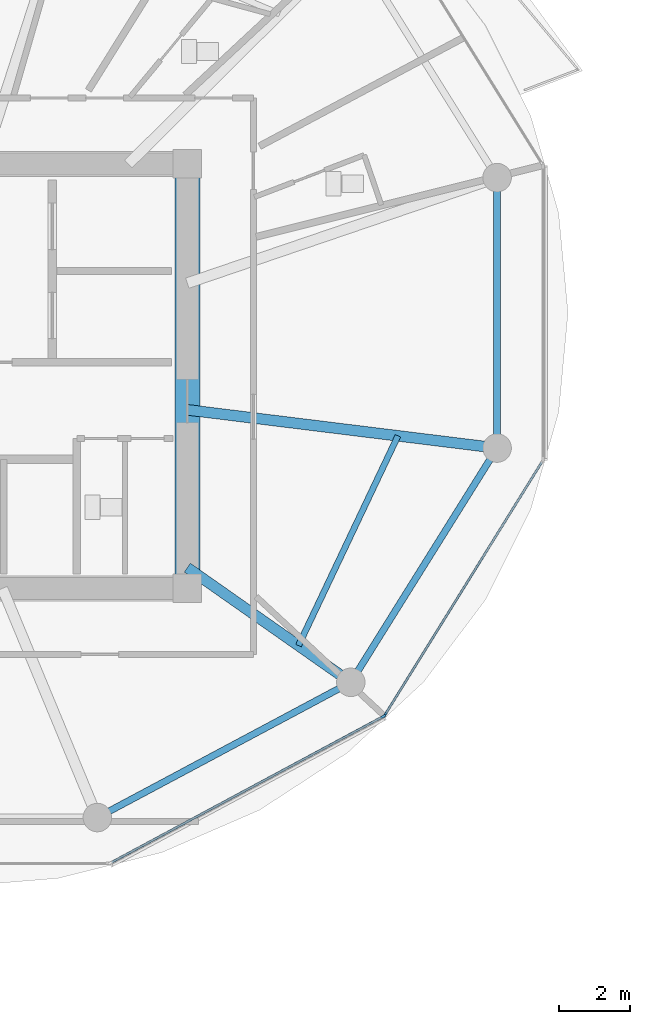
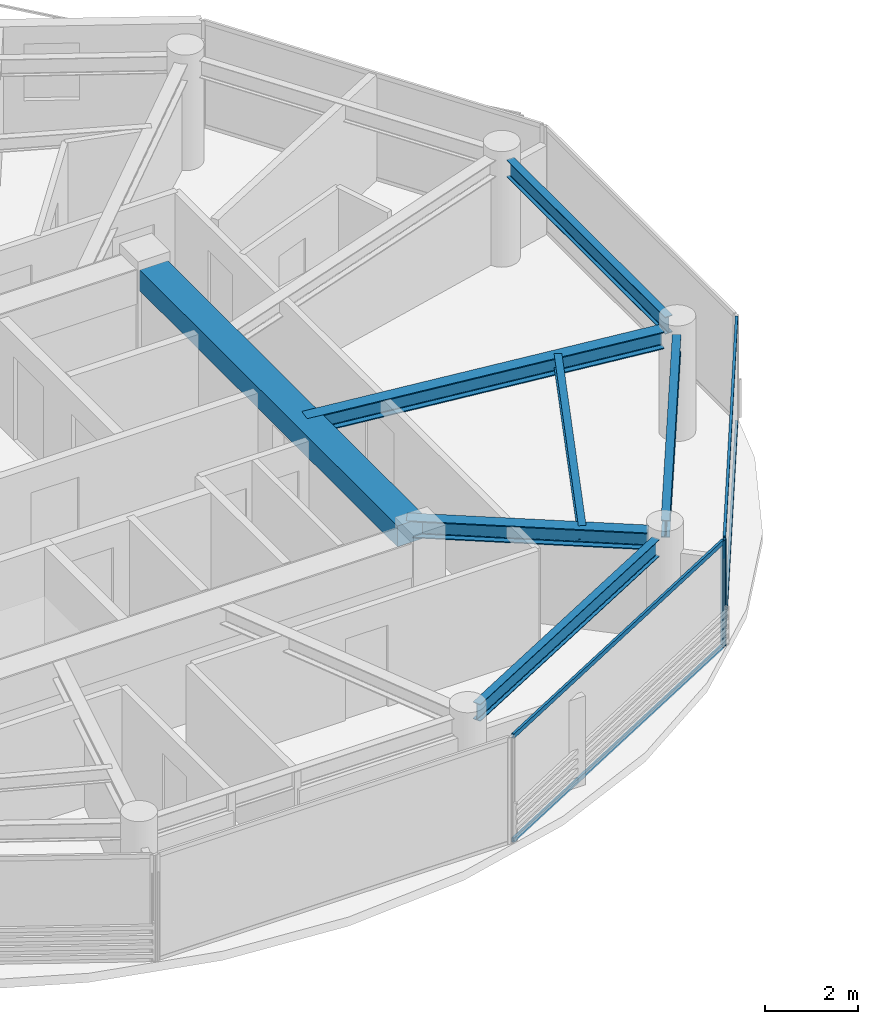
# One storey, part 3 of 21: 7 beams, 6 members, 2 elements without a shape of their own.
"""IFC4 building model written with IfcOpenShell, lengths in metres."""

from ifc_helpers import new_model, si_unit, direction, frame, origin, origin_2d, place, context, subcontext, project, spatial, rectangle, i_section, extrude, source, transform, mapped, material, layer, layer_set, material_profile, profile_set, type_object, type_shapes, element, aggregate, save


model = new_model("IFC4")

# Units and contexts
model_context = context("Model", 3, precision=1e-05, world=origin(), true_north=direction((0.0, 1.0)))
body_context = subcontext(model_context, "Body", "Model", "MODEL_VIEW")
ifc_project = project(units=[si_unit("LENGTHUNIT", "METRE"), si_unit("AREAUNIT", "SQUARE_METRE"), si_unit("VOLUMEUNIT", "CUBIC_METRE"), si_unit("PLANEANGLEUNIT", "RADIAN"), si_unit("MASSUNIT", "GRAM", prefix="KILO")], contexts=[model_context])

# Site, building, storey
site_placement = place(None, origin())
site = spatial("IfcSite", under=ifc_project, at=site_placement, CompositionType="ELEMENT")
building_placement = place(site_placement, origin())
building = spatial("IfcBuilding", under=site, at=building_placement, Name="Norrkilde Senior Care Towers", CompositionType="ELEMENT")
storey_placement = place(building_placement, frame((0.0, 0.0, 146.5)))
storey = spatial("IfcBuildingStorey", under=building, at=storey_placement, Name="L45", CompositionType="ELEMENT", Elevation=146.5)

# Beams
ifc_material_1 = material(Name="Concrete C60/75", Category="concrete")
ifc_material_profile_1 = material_profile(ifc_material_1, rectangle(XDim=0.699951171875, YDim=0.550048828125, at=origin_2d()), Name="RC BM 700x550")
ifc_profile_set_1 = profile_set([ifc_material_profile_1], Name="Concrete C60/75")
beam_type_1 = type_object("IfcBeamType", Name="Core Portal Coupling Beam 700x550", PredefinedType="USERDEFINED", material=ifc_profile_set_1)
shared_shape_1 = source(origin(), body_context, "Body", "SweptSolid", [
    extrude(rectangle(XDim=0.699951171875, YDim=0.550048828125, at=origin_2d()), origin(), (0.0, 0.0, 1.0), 11.14013671875),
])
type_shapes(beam_type_1, [shared_shape_1])
beam_1_placement = place(storey_placement, frame((-20.35009765625, -5.570068359375, 2.534912109375), z_axis=(0.0, 1.0, 0.0), x_axis=(-1.0, 0.0, 0.0)))
element("IfcBeam", 1, at=beam_1_placement, inside=storey, type_object=beam_type_1, Name="L45 Core W E Coupling Girder", ObjectType="GIRDER", PredefinedType="USERDEFINED", context=body_context, shape_type="MappedRepresentation", body=[
    mapped(shared_shape_1, transform((0.0, 0.0, 0.0), x_axis=(1.0, 0.0, 0.0), y_axis=(0.0, 1.0, 0.0), z_axis=(0.0, 0.0, 1.0), scale=1.0)),
])
ifc_material_2 = material(Name="Steel S355", Category="steel")
ifc_material_profile_2 = material_profile(ifc_material_2, i_section(OverallWidth=0.18994140625, OverallDepth=0.449951171875, WebThickness=0.009521484375, FlangeThickness=0.0146484375, FilletRadius=0.02099609375, at=origin_2d()), Name="IPE 450")
ifc_profile_set_2 = profile_set([ifc_material_profile_2], Name="Steel S355")
beam_type_2 = type_object("IfcBeamType", Name="Perimeter Ring Spandrel Z3 IPE450", PredefinedType="SPANDREL", material=ifc_profile_set_2)
shared_shape_2 = source(origin(), body_context, "Body", "SweptSolid", [
    extrude(i_section(OverallWidth=0.18994140625, OverallDepth=0.449951171875, WebThickness=0.009521484375, FlangeThickness=0.0146484375, FilletRadius=0.02099609375, at=origin_2d()), origin(), (0.0, 0.0, 1.0), 6.86328125),
])
beam_2_placement = place(storey_placement, frame((-11.6650390625, -1.65625, 2.5849609375), z_axis=(0.0, 1.0, 0.0), x_axis=(-1.0, 0.0, 0.0)))
element("IfcBeam", 2, at=beam_2_placement, inside=storey, type_object=beam_type_2, Name="L45 Drum W Perimeter Spandrel 12", PredefinedType="SPANDREL", context=body_context, shape_type="MappedRepresentation", body=[
    mapped(shared_shape_2, transform((0.0, 0.0, 0.0), x_axis=(1.0, 0.0, 0.0), y_axis=(0.0, 1.0, 0.0), z_axis=(0.0, 0.0, 1.0), scale=1.0)),
])
shared_shape_3 = source(origin(), body_context, "Body", "SweptSolid", [
    extrude(i_section(OverallWidth=0.18994140625, OverallDepth=0.449951171875, WebThickness=0.009521484375, FlangeThickness=0.0146484375, FilletRadius=0.02099609375, at=origin_2d()), origin(), (0.0, 0.0, 1.0), 7.023193359375),
])
beam_3_placement = place(storey_placement, frame((-15.57666015625, -8.2783203125, 2.5849609375), z_axis=(0.529805197269, 0.848119362441, 0.0), x_axis=(-0.848119362441, 0.529805197269, 0.0)))
element("IfcBeam", 3, at=beam_3_placement, inside=storey, type_object=beam_type_2, Name="L45 Drum W Perimeter Spandrel 11", PredefinedType="SPANDREL", context=body_context, shape_type="MappedRepresentation", body=[
    mapped(shared_shape_3, transform((0.0, 0.0, 0.0), x_axis=(1.0, 0.0, 0.0), y_axis=(0.0, 1.0, 0.0), z_axis=(0.0, 0.0, 1.0), scale=1.0)),
])
shared_shape_4 = source(origin(), body_context, "Body", "SweptSolid", [
    extrude(i_section(OverallWidth=0.18994140625, OverallDepth=0.449951171875, WebThickness=0.009521484375, FlangeThickness=0.0146484375, FilletRadius=0.02099609375, at=origin_2d()), origin(), (0.0, 0.0, 1.0), 7.333984375),
])
type_shapes(beam_type_2, [shared_shape_2, shared_shape_3, shared_shape_4])
beam_4_placement = place(storey_placement, frame((-22.55517578125, -12.2060546875, 2.5849609375), z_axis=(0.882234038987, 0.470811109101, 0.0), x_axis=(-0.470811109101, 0.882234038987, 0.0)))
element("IfcBeam", 4, at=beam_4_placement, inside=storey, type_object=beam_type_2, Name="L45 Drum W Perimeter Spandrel 10", PredefinedType="SPANDREL", context=body_context, shape_type="MappedRepresentation", body=[
    mapped(shared_shape_4, transform((0.0, 0.0, 0.0), x_axis=(1.0, 0.0, 0.0), y_axis=(0.0, 1.0, 0.0), z_axis=(0.0, 0.0, 1.0), scale=1.0)),
])
ifc_material_profile_3 = material_profile(ifc_material_2, i_section(OverallWidth=0.300048828125, OverallDepth=0.449951171875, WebThickness=0.013916015625, FlangeThickness=0.02587890625, FilletRadius=0.027099609375, at=origin_2d()), Name="HEB 450")
ifc_profile_set_3 = profile_set([ifc_material_profile_3], Name="Steel S355")
beam_type_3 = type_object("IfcBeamType", Name="Radial Floor Beam Z3 HEB450", PredefinedType="BEAM", material=ifc_profile_set_3)
shared_shape_5 = source(origin(), body_context, "Body", "SweptSolid", [
    extrude(i_section(OverallWidth=0.300048828125, OverallDepth=0.449951171875, WebThickness=0.013916015625, FlangeThickness=0.02587890625, FilletRadius=0.027099609375, at=origin_2d()), origin(), (0.0, 0.0, 1.0), 5.23828125),
])
beam_5_placement = place(storey_placement, frame((-20.35009765625, -5.3681640625, 2.5849609375), z_axis=(0.818592061291, -0.574375345215, 0.0), x_axis=(0.574375345215, 0.818592061291, 0.0)))
element("IfcBeam", 5, at=beam_5_placement, inside=storey, type_object=beam_type_3, Name="L45 Drum W Radial Floor Beam 11", PredefinedType="BEAM", context=body_context, shape_type="MappedRepresentation", body=[
    mapped(shared_shape_5, transform((0.0, 0.0, 0.0), x_axis=(1.0, 0.0, 0.0), y_axis=(0.0, 1.0, 0.0), z_axis=(0.0, 0.0, 1.0), scale=1.0)),
])
shared_shape_6 = source(origin(), body_context, "Body", "SweptSolid", [
    extrude(i_section(OverallWidth=0.300048828125, OverallDepth=0.449951171875, WebThickness=0.013916015625, FlangeThickness=0.02587890625, FilletRadius=0.027099609375, at=origin_2d()), origin(), (0.0, 0.0, 1.0), 8.390869140625),
])
type_shapes(beam_type_3, [shared_shape_5, shared_shape_6])
beam_6_placement = place(storey_placement, frame((-20.35009765625, -0.9443359375, 2.5849609375), z_axis=(0.99246916403, -0.122494728249, 0.0), x_axis=(0.122494728249, 0.99246916403, 0.0)))
element("IfcBeam", 6, at=beam_6_placement, inside=storey, type_object=beam_type_3, Name="L45 Drum W Radial Floor Beam 12", PredefinedType="BEAM", context=body_context, shape_type="MappedRepresentation", body=[
    mapped(shared_shape_6, transform((0.0, 0.0, 0.0), x_axis=(1.0, 0.0, 0.0), y_axis=(0.0, 1.0, 0.0), z_axis=(0.0, 0.0, 1.0), scale=1.0)),
])
ifc_material_profile_4 = material_profile(ifc_material_2, i_section(OverallWidth=0.169921875, OverallDepth=0.360107421875, WebThickness=0.008056640625, FlangeThickness=0.0126953125, FilletRadius=0.01806640625, at=origin_2d()), Name="IPE 360")
ifc_profile_set_4 = profile_set([ifc_material_profile_4], Name="Steel S355")
beam_type_4 = type_object("IfcBeamType", Name="Secondary Floor Joist IPE360", PredefinedType="JOIST", material=ifc_profile_set_4)
shared_shape_7 = source(origin(), body_context, "Body", "SweptSolid", [
    extrude(i_section(OverallWidth=0.169921875, OverallDepth=0.360107421875, WebThickness=0.008056640625, FlangeThickness=0.0126953125, FilletRadius=0.01806640625, at=origin_2d()), origin(), (0.0, 0.0, 1.0), 6.50927734375),
])
type_shapes(beam_type_4, [shared_shape_7])
beam_7_placement = place(storey_placement, frame((-17.23388671875, -7.5546875, 2.6298828125), z_axis=(0.428544169129, 0.90352083269, 0.0), x_axis=(-0.90352083269, 0.428544169129, 0.0)))
element("IfcBeam", 7, at=beam_7_placement, inside=storey, type_object=beam_type_4, Name="L45 Drum W Secondary Floor Joist 4", PredefinedType="JOIST", context=body_context, shape_type="MappedRepresentation", body=[
    mapped(shared_shape_7, transform((0.0, 0.0, 0.0), x_axis=(1.0, 0.0, 0.0), y_axis=(0.0, 1.0, 0.0), z_axis=(0.0, 0.0, 1.0), scale=1.0)),
])

# Curtain wall, member
ifc_material_3 = material(Name="Triple Low-E Insulated Glazing", Category="glass")
ifc_layer = layer(ifc_material_3, 0.18994140625)
ifc_layer_set = layer_set([ifc_layer], Name="Triple Low-E Insulated Glazing")
curtain_wall_type = type_object("IfcCurtainWallType", Name="CW4 Zone 3 Senior Residence Curtain Wall", PredefinedType="NOTDEFINED", material=ifc_layer_set)
curtain_wall_1_placement = place(storey_placement, origin())
curtain_wall_1 = element("IfcCurtainWall", 8, at=curtain_wall_1_placement, inside=storey, type_object=curtain_wall_type, Name="L45 Drum W Curtain Wall 09", PredefinedType="NOTDEFINED")
ifc_material_4 = material(Name="Anodised Aluminium", Category="aluminium")
ifc_material_profile_5 = material_profile(ifc_material_4, rectangle(XDim=0.06494140625, YDim=0.14990234375, at=origin_2d()), Name="ALU MULL 65x150")
ifc_profile_set_5 = profile_set([ifc_material_profile_5], Name="Anodised Aluminium")
member_type_1 = type_object("IfcMemberType", Name="Curtain Wall Mullion Z3-Z4 65x150", PredefinedType="MULLION", material=ifc_profile_set_5)
shared_shape_8 = source(origin(), body_context, "Body", "SweptSolid", [
    extrude(rectangle(XDim=0.06494140625, YDim=0.14990234375, at=origin_2d()), origin(), (0.0, 0.0, 1.0), 2.81005859375),
])
type_shapes(member_type_1, [shared_shape_8])
member_1_placement = place(storey_placement, frame((-14.85546875, -9.53955078125, 0.0), z_axis=(0.0, 0.0, 1.0), x_axis=(0.47311715104, -0.880999524059, 0.0)))
member_1 = element("IfcMember", 9, at=member_1_placement, type_object=member_type_1, Name="CW-4 mullion 1", PredefinedType="MULLION", context=body_context, shape_type="MappedRepresentation", body=[
    mapped(shared_shape_8, transform((0.0, 0.0, 0.0), x_axis=(1.0, 0.0, 0.0), y_axis=(0.0, 1.0, 0.0), z_axis=(0.0, 0.0, 1.0), scale=1.0)),
])

# Curtain wall, members
curtain_wall_2_placement = place(storey_placement, origin())
curtain_wall_2 = element("IfcCurtainWall", 10, at=curtain_wall_2_placement, inside=storey, type_object=curtain_wall_type, Name="L45 Drum W Curtain Wall 10", PredefinedType="NOTDEFINED")
member_2_placement = place(storey_placement, frame((-14.809814453125, -9.49658203125, 0.0), z_axis=(0.0, 0.0, 1.0), x_axis=(0.84963405474, -0.52737270789, 0.0)))
member_2 = element("IfcMember", 11, at=member_2_placement, type_object=member_type_1, Name="CW-4 mullion 2", PredefinedType="MULLION", context=body_context, shape_type="MappedRepresentation", body=[
    mapped(shared_shape_8, transform((0.0, 0.0, 0.0), x_axis=(1.0, 0.0, 0.0), y_axis=(0.0, 1.0, 0.0), z_axis=(0.0, 0.0, 1.0), scale=1.0)),
])
ifc_material_profile_6 = material_profile(ifc_material_4, rectangle(XDim=0.06005859375, YDim=0.1201171875, at=origin_2d()), Name="ALU TRAN 60x120")
ifc_profile_set_6 = profile_set([ifc_material_profile_6], Name="Anodised Aluminium")
member_type_2 = type_object("IfcMemberType", Name="Curtain Wall Transom Typical 60x120", PredefinedType="USERDEFINED", material=ifc_profile_set_6)
shared_shape_9 = source(origin(), body_context, "Body", "SweptSolid", [
    extrude(rectangle(XDim=0.06005859375, YDim=0.1201171875, at=origin_2d()), origin(), (0.0, 0.0, 1.0), 8.301513671875),
])
member_3_placement = place(storey_placement, frame((-10.414794921875, -2.415771484375, 0.030029296875), z_axis=(-0.527368718394, -0.849636531029, 0.0), x_axis=(0.849636531029, -0.527368718394, 0.0)))
member_3 = element("IfcMember", 12, at=member_3_placement, type_object=member_type_2, Name="CW-4 transom 1.1", ObjectType="TRANSOM", PredefinedType="USERDEFINED", context=body_context, shape_type="MappedRepresentation", body=[
    mapped(shared_shape_9, transform((0.0, 0.0, 0.0), x_axis=(1.0, 0.0, 0.0), y_axis=(0.0, 1.0, 0.0), z_axis=(0.0, 0.0, 1.0), scale=1.0)),
])
member_4_placement = place(storey_placement, frame((-10.414794921875, -2.415771484375, 2.780029296875), z_axis=(-0.527368718394, -0.849636531029, 0.0), x_axis=(0.849636531029, -0.527368718394, 0.0)))
member_4 = element("IfcMember", 13, at=member_4_placement, type_object=member_type_2, Name="CW-4 transom 1.2", ObjectType="TRANSOM", PredefinedType="USERDEFINED", context=body_context, shape_type="MappedRepresentation", body=[
    mapped(shared_shape_9, transform((0.0, 0.0, 0.0), x_axis=(1.0, 0.0, 0.0), y_axis=(0.0, 1.0, 0.0), z_axis=(0.0, 0.0, 1.0), scale=1.0)),
])
aggregate(curtain_wall_2, [member_2, member_3, member_4])

# Member
shared_shape_10 = source(origin(), body_context, "Body", "SweptSolid", [
    extrude(rectangle(XDim=0.06005859375, YDim=0.1201171875, at=origin_2d()), origin(), (0.0, 0.0, 1.0), 8.61181640625),
])
type_shapes(member_type_2, [shared_shape_9, shared_shape_10])
member_5_placement = place(storey_placement, frame((-14.88427734375, -9.554931640625, 0.030029296875), z_axis=(-0.880993991641, -0.473127452906, 0.0), x_axis=(0.473127452906, -0.880993991641, 0.0)))
member_5 = element("IfcMember", 14, at=member_5_placement, type_object=member_type_2, Name="CW-4 transom 1.1", ObjectType="TRANSOM", PredefinedType="USERDEFINED", context=body_context, shape_type="MappedRepresentation", body=[
    mapped(shared_shape_10, transform((0.0, 0.0, 0.0), x_axis=(1.0, 0.0, 0.0), y_axis=(0.0, 1.0, 0.0), z_axis=(0.0, 0.0, 1.0), scale=1.0)),
])

member_6_placement = place(storey_placement, frame((-14.88427734375, -9.554931640625, 2.780029296875), z_axis=(-0.880993991641, -0.473127452906, 0.0), x_axis=(0.473127452906, -0.880993991641, 0.0)))
member_6 = element("IfcMember", 15, at=member_6_placement, type_object=member_type_2, Name="CW-4 transom 1.2", ObjectType="TRANSOM", PredefinedType="USERDEFINED", context=body_context, shape_type="MappedRepresentation", body=[
    mapped(shared_shape_10, transform((0.0, 0.0, 0.0), x_axis=(1.0, 0.0, 0.0), y_axis=(0.0, 1.0, 0.0), z_axis=(0.0, 0.0, 1.0), scale=1.0)),
])

aggregate(curtain_wall_1, [member_1, member_5, member_6])

save(model, "model.ifc")
